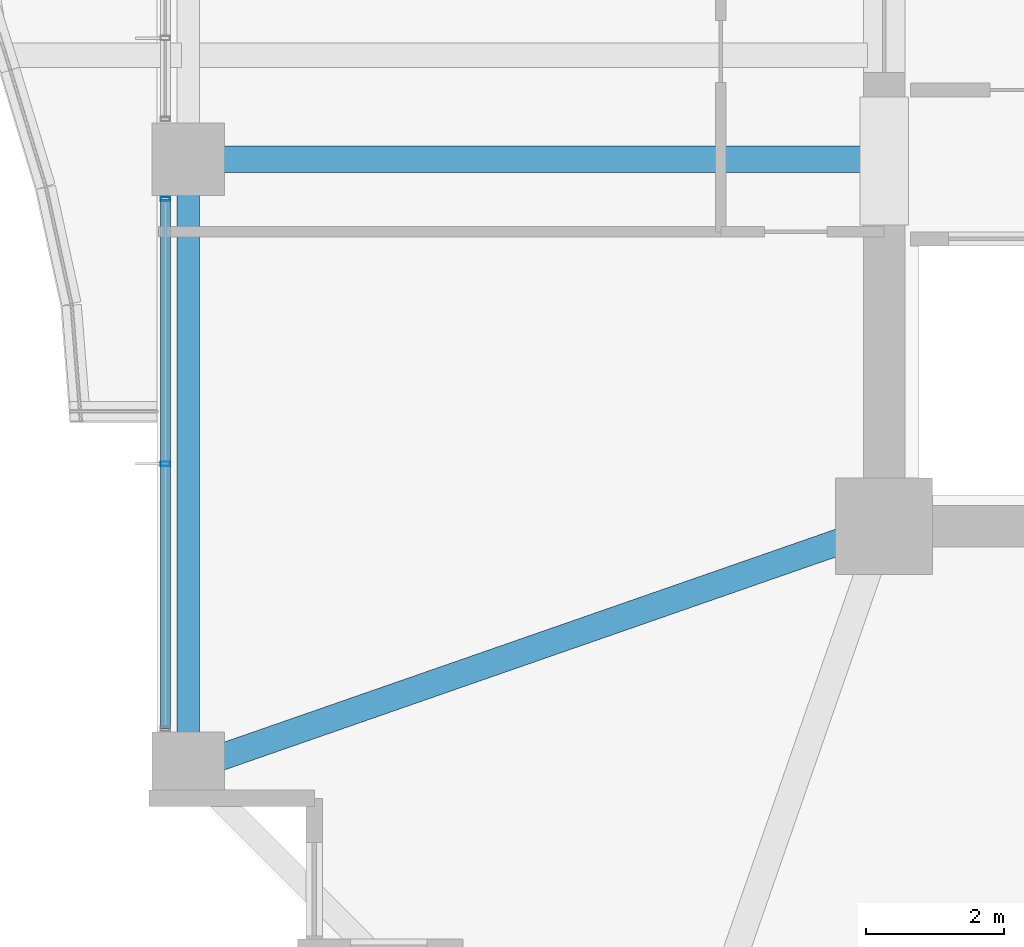
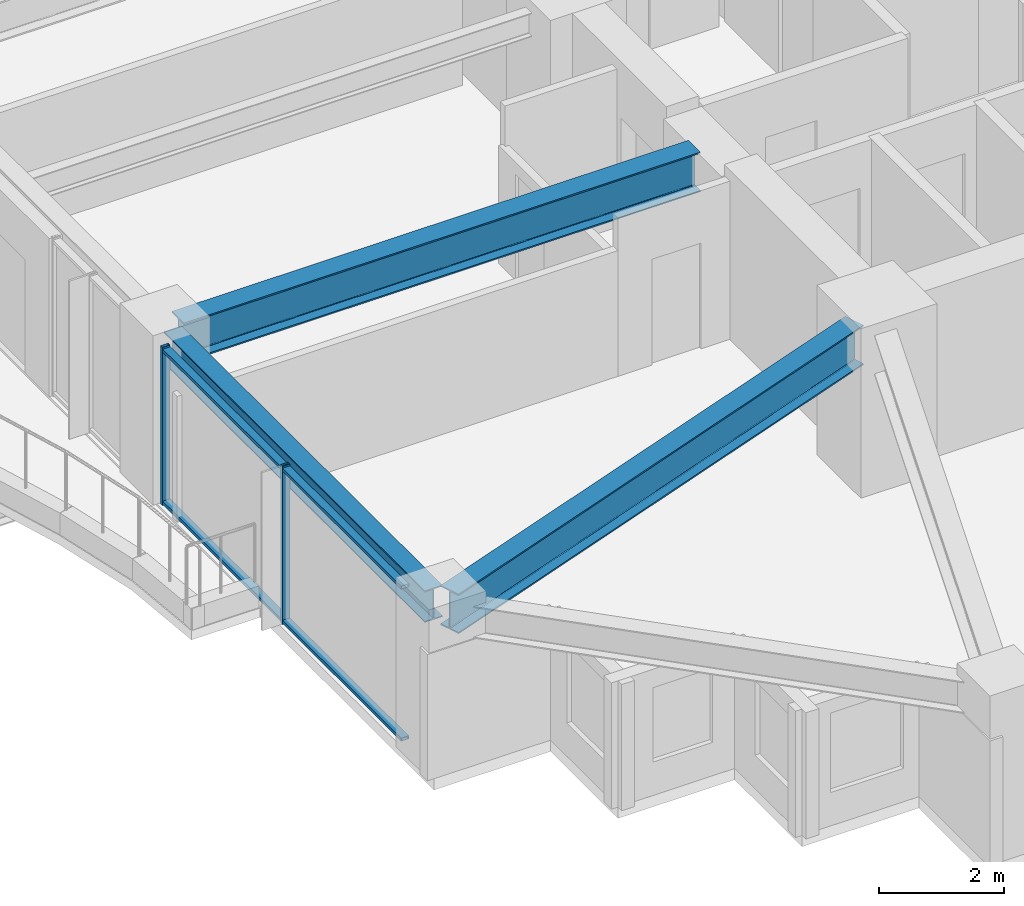
# One storey, part 4 of 36: 4 members, 3 beams, 1 element without a shape of its own.
"""IFC4 building model written with IfcOpenShell, lengths in metres."""

from ifc_helpers import new_model, si_unit, direction, frame, origin, origin_2d, place, context, subcontext, project, spatial, hollow_rectangle, i_section, extrude, material, material_profile, profile_set, type_object, element, aggregate, save


model = new_model("IFC4")

# Units and contexts
model_context = context("Model", 3, precision=1e-05, world=origin(), true_north=direction((0.0, 1.0)))
body_context = subcontext(model_context, "Body", "Model", "MODEL_VIEW")
ifc_project = project(units=[si_unit("LENGTHUNIT", "METRE"), si_unit("AREAUNIT", "SQUARE_METRE"), si_unit("VOLUMEUNIT", "CUBIC_METRE"), si_unit("PLANEANGLEUNIT", "RADIAN"), si_unit("MASSUNIT", "GRAM", prefix="KILO")], contexts=[model_context])

# Site, building, storey
site_placement = place(None, origin())
site = spatial("IfcSite", under=ifc_project, at=site_placement, CompositionType="ELEMENT")
building_placement = place(site_placement, origin())
building = spatial("IfcBuilding", under=site, at=building_placement, Name="Kolvaren Belvedere", CompositionType="ELEMENT")
storey_placement = place(building_placement, frame((0.0, 0.0, 88.699951171875)))
storey = spatial("IfcBuildingStorey", under=building, at=storey_placement, Name="L25", CompositionType="ELEMENT", Elevation=88.699951171875)

# Beams
ifc_material_1 = material(Name="Structural steel ASTM A992 Grade 50", Category="steel")
ifc_material_profile_1 = material_profile(ifc_material_1, i_section(OverallWidth=0.381103515625, OverallDepth=0.77294921875, WebThickness=0.0166015625, FlangeThickness=0.027099609375, FilletRadius=0.02392578125, at=origin_2d()), Name="W30X173")
ifc_profile_set_1 = profile_set([ifc_material_profile_1], Name="Structural steel ASTM A992 Grade 50")
beam_type_1 = type_object("IfcBeamType", Name="BM-GIRD-W30X173", PredefinedType="BEAM", material=ifc_profile_set_1)
beam_1_placement = place(storey_placement, frame((-10.199951171875, -4.60009765625, 2.693603515625), z_axis=(-1.0, 0.0, 0.0), x_axis=(0.0, -1.0, 0.0)))
element("IfcBeam", 1, at=beam_1_placement, inside=storey, type_object=beam_type_1, Name="L25 West Radial Girder M", PredefinedType="BEAM", context=body_context, shape_type="SweptSolid", body=[
    extrude(i_section(OverallWidth=0.381103515625, OverallDepth=0.77294921875, WebThickness=0.0166015625, FlangeThickness=0.027099609375, FilletRadius=0.02392578125, at=origin_2d()), origin(), (0.0, 0.0, 1.0), 9.513916015625),
])
beam_2_placement = place(storey_placement, frame((-10.41943359375, -10.080810546875, 2.693603515625), z_axis=(-0.944371408538, -0.328880894453, 0.0), x_axis=(0.328880894453, -0.944371408538, 0.0)))
element("IfcBeam", 2, at=beam_2_placement, inside=storey, type_object=beam_type_1, Name="L25 Corner Core-to-Perimeter Girder CC1-W1", PredefinedType="BEAM", context=body_context, shape_type="SweptSolid", body=[
    extrude(i_section(OverallWidth=0.381103515625, OverallDepth=0.77294921875, WebThickness=0.0166015625, FlangeThickness=0.027099609375, FilletRadius=0.02392578125, at=origin_2d()), origin(), (0.0, 0.0, 1.0), 9.882080078125),
])
ifc_material_2 = material(Name="Structural steel ASTM A992 Grade 50", Category="steel")
ifc_material_profile_2 = material_profile(ifc_material_2, i_section(OverallWidth=0.324951171875, OverallDepth=0.615966796875, WebThickness=0.013916015625, FlangeThickness=0.021484375, FilletRadius=0.02001953125, at=origin_2d()), Name="W24X117")
ifc_profile_set_2 = profile_set([ifc_material_profile_2], Name="Structural steel ASTM A992 Grade 50")
beam_type_2 = type_object("IfcBeamType", Name="BM-SPAN-W24X117", PredefinedType="SPANDREL", material=ifc_profile_set_2)
beam_3_placement = place(storey_placement, frame((-19.949951171875, -4.836181640625, 2.77197265625), z_axis=(0.0, -1.0, 0.0), x_axis=(1.0, 0.0, 0.0)))
element("IfcBeam", 3, at=beam_3_placement, inside=storey, type_object=beam_type_2, Name="L25 Perimeter Spandrel W2-W1", PredefinedType="SPANDREL", context=body_context, shape_type="SweptSolid", body=[
    extrude(i_section(OverallWidth=0.324951171875, OverallDepth=0.615966796875, WebThickness=0.013916015625, FlangeThickness=0.021484375, FilletRadius=0.02001953125, at=origin_2d()), origin(), (0.0, 0.0, 1.0), 8.32763671875),
])

# Curtain wall, members
ifc_material_3 = material(Name="Anodised pale-metal aluminium AA 6063-T6", Category="aluminium")
curtain_wall_type = type_object("IfcCurtainWallType", Name="CW-Z2-MID", PredefinedType="NOTDEFINED", material=ifc_material_3)
curtain_wall_placement = place(storey_placement, origin())
curtain_wall = element("IfcCurtainWall", 4, at=curtain_wall_placement, inside=storey, type_object=curtain_wall_type, Name="L25 Unitised Curtain Wall FCW-L25-W1-B1", PredefinedType="NOTDEFINED")
ifc_material_4 = material(Name="Anodised pale-metal aluminium AA 6063-T6", Category="aluminium")
ifc_material_profile_3 = material_profile(ifc_material_4, hollow_rectangle(XDim=0.06494140625, YDim=0.139892578125, WallThickness=0.00390625, at=origin_2d()), Name="ALU-MUL-140X65")
ifc_profile_set_3 = profile_set([ifc_material_profile_3], Name="Anodised pale-metal aluminium AA 6063-T6")
member_type_1 = type_object("IfcMemberType", Name="CW-MUL-140", PredefinedType="MULLION", material=ifc_profile_set_3)
member_1_placement = place(storey_placement, frame((-20.280029296875, -9.0, 0.0), z_axis=(0.0, 0.0, 1.0), x_axis=(0.0, 1.0, 0.0)))
member_1 = element("IfcMember", 5, at=member_1_placement, type_object=member_type_1, Name="FCW-L25-W1-B1 Unitised Mullion 2", PredefinedType="MULLION", context=body_context, shape_type="SweptSolid", body=[
    extrude(hollow_rectangle(XDim=0.06494140625, YDim=0.139892578125, WallThickness=0.00390625, at=origin_2d()), origin(), (0.0, 0.0, 1.0), 3.080078125),
])
member_2_placement = place(storey_placement, frame((-20.280029296875, -5.177490234375, 0.0), z_axis=(0.0, 0.0, 1.0), x_axis=(0.0, 1.0, 0.0)))
member_2 = element("IfcMember", 6, at=member_2_placement, type_object=member_type_1, Name="FCW-L25-W1-B1 Unitised Mullion 3", PredefinedType="MULLION", context=body_context, shape_type="SweptSolid", body=[
    extrude(hollow_rectangle(XDim=0.06494140625, YDim=0.139892578125, WallThickness=0.00390625, at=origin_2d()), origin(), (0.0, 0.0, 1.0), 3.080078125),
])
ifc_material_5 = material(Name="Anodised pale-metal aluminium AA 6063-T6", Category="aluminium")
ifc_material_profile_4 = material_profile(ifc_material_5, hollow_rectangle(XDim=0.06005859375, YDim=0.139892578125, WallThickness=0.00390625, at=origin_2d()), Name="ALU-TRN-140X60")
ifc_profile_set_4 = profile_set([ifc_material_profile_4], Name="Anodised pale-metal aluminium AA 6063-T6")
member_type_2 = type_object("IfcMemberType", Name="CW-TRN-140", PredefinedType="USERDEFINED", material=ifc_profile_set_4)
member_3_placement = place(storey_placement, frame((-20.280029296875, -12.822509765625, 0.06005859375), z_axis=(0.0, 1.0, 0.0), x_axis=(0.0, 0.0, 1.0)))
member_3 = element("IfcMember", 7, at=member_3_placement, type_object=member_type_2, Name="FCW-L25-W1-B1 Sill Transom", ObjectType="TRANSOM", PredefinedType="USERDEFINED", context=body_context, shape_type="SweptSolid", body=[
    extrude(hollow_rectangle(XDim=0.06005859375, YDim=0.139892578125, WallThickness=0.00390625, at=origin_2d()), origin(), (0.0, 0.0, 1.0), 7.64501953125),
])
member_4_placement = place(storey_placement, frame((-20.280029296875, -12.822509765625, 3.02001953125), z_axis=(0.0, 1.0, 0.0), x_axis=(0.0, 0.0, 1.0)))
member_4 = element("IfcMember", 8, at=member_4_placement, type_object=member_type_2, Name="FCW-L25-W1-B1 Head Transom", ObjectType="TRANSOM", PredefinedType="USERDEFINED", context=body_context, shape_type="SweptSolid", body=[
    extrude(hollow_rectangle(XDim=0.06005859375, YDim=0.139892578125, WallThickness=0.00390625, at=origin_2d()), origin(), (0.0, 0.0, 1.0), 7.64501953125),
])
aggregate(curtain_wall, [member_1, member_2, member_3, member_4])

save(model, "model.ifc")
